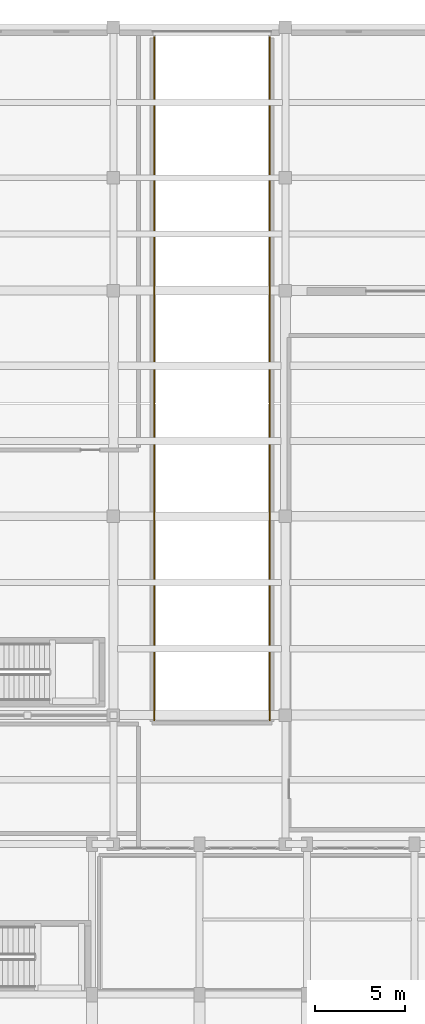
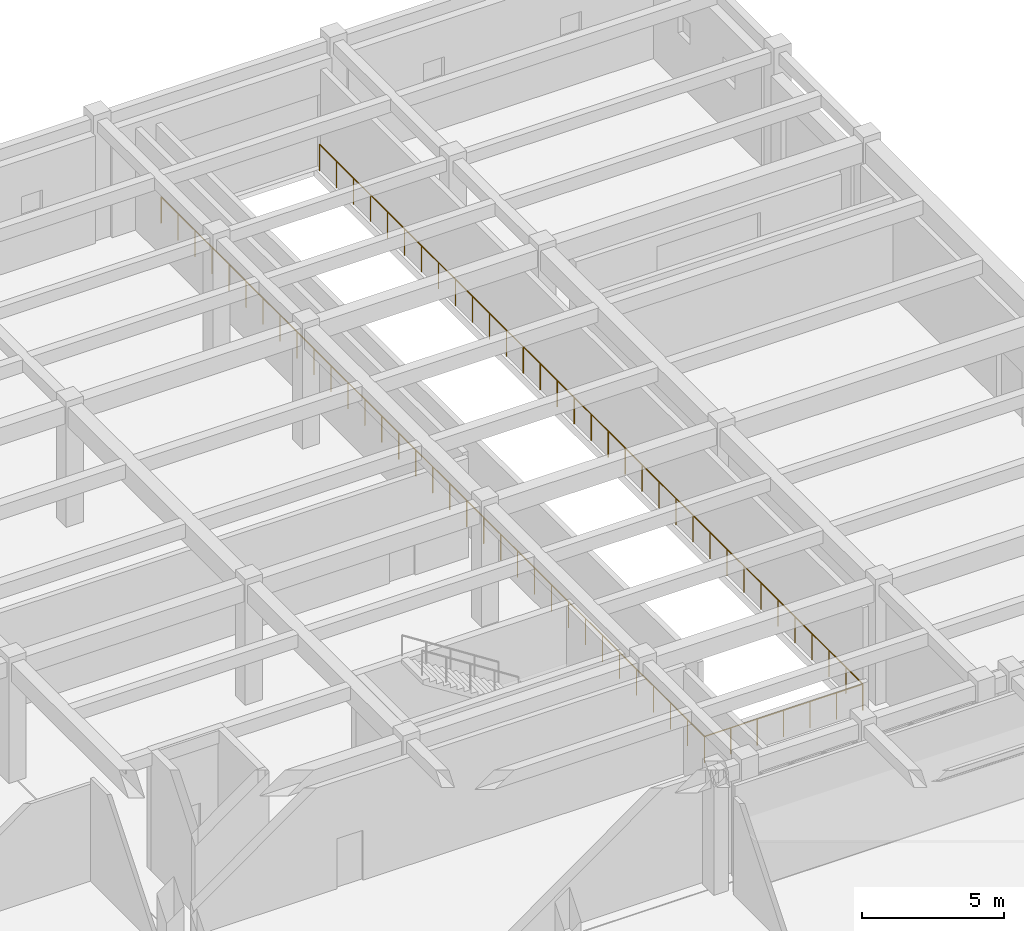
# One storey, part 97 of 98: 1 railing.
"""IFC4 building model written with IfcOpenShell, lengths in metres."""

from ifc_helpers import new_model, si_unit, direction, frame, origin, origin_2d, place, context, subcontext, project, spatial, circle, extrude, material, type_object, element, save


model = new_model("IFC4")

# Units and contexts
model_context = context("Model", 3, precision=1e-05, world=origin(), true_north=direction((0.0, 1.0)))
body_context = subcontext(model_context, "Body", "Model", "MODEL_VIEW")
ifc_project = project(units=[si_unit("LENGTHUNIT", "METRE"), si_unit("AREAUNIT", "SQUARE_METRE"), si_unit("VOLUMEUNIT", "CUBIC_METRE"), si_unit("PLANEANGLEUNIT", "RADIAN"), si_unit("MASSUNIT", "GRAM", prefix="KILO")], contexts=[model_context])

# Site, building, storey
site_placement = place(None, origin())
site = spatial("IfcSite", under=ifc_project, at=site_placement, CompositionType="ELEMENT")
building_placement = place(site_placement, origin())
building = spatial("IfcBuilding", under=site, at=building_placement, Name="Tarnavel Promenade Courthouse", CompositionType="ELEMENT")
storey_placement = place(building_placement, origin())
storey = spatial("IfcBuildingStorey", under=building, at=storey_placement, Name="L01", CompositionType="ELEMENT", Elevation=0.0)

# Railing
ifc_material = material(Name="Painted Architectural Steel Stair & Atrium Guardrail", Category="steel")
railing_type = type_object("IfcRailingType", Name="Painted Architectural Steel Stair & Atrium Guardrail (RL-GRD-1120)", PredefinedType="GUARDRAIL", material=ifc_material)
railing_placement = place(storey_placement, frame((141.47998046875, 112.25, 0.0)))
element("IfcRailing", 1, at=railing_placement, inside=storey, type_object=railing_type, Name="L01 Vehicle Ramp Opening Guardrail", PredefinedType="GUARDRAIL", context=body_context, shape_type="SweptSolid", body=[
    extrude(circle(Radius=0.02392578125, at=origin_2d()), frame((0.0, 0.0, 1.1259765625), z_axis=(0.0, -1.0, 0.0), x_axis=(1.0, 0.0, 0.0)), (0.0, 0.0, 1.0), 38.22998046875),
    extrude(circle(Radius=0.02392578125, at=origin_2d()), frame((0.0, -38.22998046875, 1.1259765625), z_axis=(1.0, 0.0, 0.0), x_axis=(0.0, 1.0, 0.0)), (0.0, 0.0, 1.0), 6.43994140625),
    extrude(circle(Radius=0.02392578125, at=origin_2d()), frame((6.43994140625, -38.22998046875, 1.1259765625), z_axis=(0.0, 1.0, 0.0), x_axis=(-1.0, 0.0, 0.0)), (0.0, 0.0, 1.0), 38.22998046875),
    extrude(circle(Radius=0.02099609375, at=origin_2d()), origin(), (0.0, 0.0, 1.0), 1.101806640625),
    extrude(circle(Radius=0.02099609375, at=origin_2d()), frame((0.0, -1.194580078125, 0.0)), (0.0, 0.0, 1.0), 1.101806640625),
    extrude(circle(Radius=0.02099609375, at=origin_2d()), frame((0.0, -2.389404296875, 0.0)), (0.0, 0.0, 1.0), 1.101806640625),
    extrude(circle(Radius=0.02099609375, at=origin_2d()), frame((0.0, -3.583984375, 0.0)), (0.0, 0.0, 1.0), 1.101806640625),
    extrude(circle(Radius=0.02099609375, at=origin_2d()), frame((0.0, -4.77880859375, 0.0)), (0.0, 0.0, 1.0), 1.101806640625),
    extrude(circle(Radius=0.02099609375, at=origin_2d()), frame((0.0, -5.973388671875, 0.0)), (0.0, 0.0, 1.0), 1.101806640625),
    extrude(circle(Radius=0.02099609375, at=origin_2d()), frame((0.0, -7.168212890625, 0.0)), (0.0, 0.0, 1.0), 1.101806640625),
    extrude(circle(Radius=0.02099609375, at=origin_2d()), frame((0.0, -8.36279296875, 0.0)), (0.0, 0.0, 1.0), 1.101806640625),
    extrude(circle(Radius=0.02099609375, at=origin_2d()), frame((0.0, -9.5576171875, 0.0)), (0.0, 0.0, 1.0), 1.101806640625),
    extrude(circle(Radius=0.02099609375, at=origin_2d()), frame((0.0, -10.752197265625, 0.0)), (0.0, 0.0, 1.0), 1.101806640625),
    extrude(circle(Radius=0.02099609375, at=origin_2d()), frame((0.0, -11.94677734375, 0.0)), (0.0, 0.0, 1.0), 1.101806640625),
    extrude(circle(Radius=0.02099609375, at=origin_2d()), frame((0.0, -13.1416015625, 0.0)), (0.0, 0.0, 1.0), 1.101806640625),
    extrude(circle(Radius=0.02099609375, at=origin_2d()), frame((0.0, -14.336181640625, 0.0)), (0.0, 0.0, 1.0), 1.101806640625),
    extrude(circle(Radius=0.02099609375, at=origin_2d()), frame((0.0, -15.531005859375, 0.0)), (0.0, 0.0, 1.0), 1.101806640625),
    extrude(circle(Radius=0.02099609375, at=origin_2d()), frame((0.0, -16.7255859375, 0.0)), (0.0, 0.0, 1.0), 1.101806640625),
    extrude(circle(Radius=0.02099609375, at=origin_2d()), frame((0.0, -17.92041015625, 0.0)), (0.0, 0.0, 1.0), 1.101806640625),
    extrude(circle(Radius=0.02099609375, at=origin_2d()), frame((0.0, -19.114990234375, 0.0)), (0.0, 0.0, 1.0), 1.101806640625),
    extrude(circle(Radius=0.02099609375, at=origin_2d()), frame((0.0, -20.3095703125, 0.0)), (0.0, 0.0, 1.0), 1.101806640625),
    extrude(circle(Radius=0.02099609375, at=origin_2d()), frame((0.0, -21.50439453125, 0.0)), (0.0, 0.0, 1.0), 1.101806640625),
    extrude(circle(Radius=0.02099609375, at=origin_2d()), frame((0.0, -22.698974609375, 0.0)), (0.0, 0.0, 1.0), 1.101806640625),
    extrude(circle(Radius=0.02099609375, at=origin_2d()), frame((0.0, -23.893798828125, 0.0)), (0.0, 0.0, 1.0), 1.101806640625),
    extrude(circle(Radius=0.02099609375, at=origin_2d()), frame((0.0, -25.08837890625, 0.0)), (0.0, 0.0, 1.0), 1.101806640625),
    extrude(circle(Radius=0.02099609375, at=origin_2d()), frame((0.0, -26.283203125, 0.0)), (0.0, 0.0, 1.0), 1.101806640625),
    extrude(circle(Radius=0.02099609375, at=origin_2d()), frame((0.0, -27.477783203125, 0.0)), (0.0, 0.0, 1.0), 1.101806640625),
    extrude(circle(Radius=0.02099609375, at=origin_2d()), frame((0.0, -28.67236328125, 0.0)), (0.0, 0.0, 1.0), 1.101806640625),
    extrude(circle(Radius=0.02099609375, at=origin_2d()), frame((0.0, -29.8671875, 0.0)), (0.0, 0.0, 1.0), 1.101806640625),
    extrude(circle(Radius=0.02099609375, at=origin_2d()), frame((0.0, -31.061767578125, 0.0)), (0.0, 0.0, 1.0), 1.101806640625),
    extrude(circle(Radius=0.02099609375, at=origin_2d()), frame((0.0, -32.256591796875, 0.0)), (0.0, 0.0, 1.0), 1.101806640625),
    extrude(circle(Radius=0.02099609375, at=origin_2d()), frame((0.0, -33.451171875, 0.0)), (0.0, 0.0, 1.0), 1.101806640625),
    extrude(circle(Radius=0.02099609375, at=origin_2d()), frame((0.0, -34.64599609375, 0.0)), (0.0, 0.0, 1.0), 1.101806640625),
    extrude(circle(Radius=0.02099609375, at=origin_2d()), frame((0.0, -35.840576171875, 0.0)), (0.0, 0.0, 1.0), 1.101806640625),
    extrude(circle(Radius=0.02099609375, at=origin_2d()), frame((0.0, -37.035400390625, 0.0)), (0.0, 0.0, 1.0), 1.101806640625),
    extrude(circle(Radius=0.02099609375, at=origin_2d()), frame((0.0, -38.22998046875, 0.0)), (0.0, 0.0, 1.0), 1.101806640625),
    extrude(circle(Radius=0.02099609375, at=origin_2d()), frame((1.0732421875, -38.22998046875, 0.0)), (0.0, 0.0, 1.0), 1.101806640625),
    extrude(circle(Radius=0.02099609375, at=origin_2d()), frame((2.146728515625, -38.22998046875, 0.0)), (0.0, 0.0, 1.0), 1.101806640625),
    extrude(circle(Radius=0.02099609375, at=origin_2d()), frame((3.219970703125, -38.22998046875, 0.0)), (0.0, 0.0, 1.0), 1.101806640625),
    extrude(circle(Radius=0.02099609375, at=origin_2d()), frame((4.293212890625, -38.22998046875, 0.0)), (0.0, 0.0, 1.0), 1.101806640625),
    extrude(circle(Radius=0.02099609375, at=origin_2d()), frame((5.36669921875, -38.22998046875, 0.0)), (0.0, 0.0, 1.0), 1.101806640625),
    extrude(circle(Radius=0.02099609375, at=origin_2d()), frame((6.43994140625, -38.22998046875, 0.0)), (0.0, 0.0, 1.0), 1.101806640625),
    extrude(circle(Radius=0.02099609375, at=origin_2d()), frame((6.43994140625, -37.035400390625, 0.0)), (0.0, 0.0, 1.0), 1.101806640625),
    extrude(circle(Radius=0.02099609375, at=origin_2d()), frame((6.43994140625, -35.840576171875, 0.0)), (0.0, 0.0, 1.0), 1.101806640625),
    extrude(circle(Radius=0.02099609375, at=origin_2d()), frame((6.43994140625, -34.64599609375, 0.0)), (0.0, 0.0, 1.0), 1.101806640625),
    extrude(circle(Radius=0.02099609375, at=origin_2d()), frame((6.43994140625, -33.451171875, 0.0)), (0.0, 0.0, 1.0), 1.101806640625),
    extrude(circle(Radius=0.02099609375, at=origin_2d()), frame((6.43994140625, -32.256591796875, 0.0)), (0.0, 0.0, 1.0), 1.101806640625),
    extrude(circle(Radius=0.02099609375, at=origin_2d()), frame((6.43994140625, -31.061767578125, 0.0)), (0.0, 0.0, 1.0), 1.101806640625),
    extrude(circle(Radius=0.02099609375, at=origin_2d()), frame((6.43994140625, -29.8671875, 0.0)), (0.0, 0.0, 1.0), 1.101806640625),
    extrude(circle(Radius=0.02099609375, at=origin_2d()), frame((6.43994140625, -28.67236328125, 0.0)), (0.0, 0.0, 1.0), 1.101806640625),
    extrude(circle(Radius=0.02099609375, at=origin_2d()), frame((6.43994140625, -27.477783203125, 0.0)), (0.0, 0.0, 1.0), 1.101806640625),
    extrude(circle(Radius=0.02099609375, at=origin_2d()), frame((6.43994140625, -26.283203125, 0.0)), (0.0, 0.0, 1.0), 1.101806640625),
    extrude(circle(Radius=0.02099609375, at=origin_2d()), frame((6.43994140625, -25.08837890625, 0.0)), (0.0, 0.0, 1.0), 1.101806640625),
    extrude(circle(Radius=0.02099609375, at=origin_2d()), frame((6.43994140625, -23.893798828125, 0.0)), (0.0, 0.0, 1.0), 1.101806640625),
    extrude(circle(Radius=0.02099609375, at=origin_2d()), frame((6.43994140625, -22.698974609375, 0.0)), (0.0, 0.0, 1.0), 1.101806640625),
    extrude(circle(Radius=0.02099609375, at=origin_2d()), frame((6.43994140625, -21.50439453125, 0.0)), (0.0, 0.0, 1.0), 1.101806640625),
    extrude(circle(Radius=0.02099609375, at=origin_2d()), frame((6.43994140625, -20.3095703125, 0.0)), (0.0, 0.0, 1.0), 1.101806640625),
    extrude(circle(Radius=0.02099609375, at=origin_2d()), frame((6.43994140625, -19.114990234375, 0.0)), (0.0, 0.0, 1.0), 1.101806640625),
    extrude(circle(Radius=0.02099609375, at=origin_2d()), frame((6.43994140625, -17.92041015625, 0.0)), (0.0, 0.0, 1.0), 1.101806640625),
    extrude(circle(Radius=0.02099609375, at=origin_2d()), frame((6.43994140625, -16.7255859375, 0.0)), (0.0, 0.0, 1.0), 1.101806640625),
    extrude(circle(Radius=0.02099609375, at=origin_2d()), frame((6.43994140625, -15.531005859375, 0.0)), (0.0, 0.0, 1.0), 1.101806640625),
    extrude(circle(Radius=0.02099609375, at=origin_2d()), frame((6.43994140625, -14.336181640625, 0.0)), (0.0, 0.0, 1.0), 1.101806640625),
    extrude(circle(Radius=0.02099609375, at=origin_2d()), frame((6.43994140625, -13.1416015625, 0.0)), (0.0, 0.0, 1.0), 1.101806640625),
    extrude(circle(Radius=0.02099609375, at=origin_2d()), frame((6.43994140625, -11.94677734375, 0.0)), (0.0, 0.0, 1.0), 1.101806640625),
    extrude(circle(Radius=0.02099609375, at=origin_2d()), frame((6.43994140625, -10.752197265625, 0.0)), (0.0, 0.0, 1.0), 1.101806640625),
    extrude(circle(Radius=0.02099609375, at=origin_2d()), frame((6.43994140625, -9.5576171875, 0.0)), (0.0, 0.0, 1.0), 1.101806640625),
    extrude(circle(Radius=0.02099609375, at=origin_2d()), frame((6.43994140625, -8.36279296875, 0.0)), (0.0, 0.0, 1.0), 1.101806640625),
    extrude(circle(Radius=0.02099609375, at=origin_2d()), frame((6.43994140625, -7.168212890625, 0.0)), (0.0, 0.0, 1.0), 1.101806640625),
    extrude(circle(Radius=0.02099609375, at=origin_2d()), frame((6.43994140625, -5.973388671875, 0.0)), (0.0, 0.0, 1.0), 1.101806640625),
    extrude(circle(Radius=0.02099609375, at=origin_2d()), frame((6.43994140625, -4.77880859375, 0.0)), (0.0, 0.0, 1.0), 1.101806640625),
    extrude(circle(Radius=0.02099609375, at=origin_2d()), frame((6.43994140625, -3.583984375, 0.0)), (0.0, 0.0, 1.0), 1.101806640625),
    extrude(circle(Radius=0.02099609375, at=origin_2d()), frame((6.43994140625, -2.389404296875, 0.0)), (0.0, 0.0, 1.0), 1.101806640625),
    extrude(circle(Radius=0.02099609375, at=origin_2d()), frame((6.43994140625, -1.194580078125, 0.0)), (0.0, 0.0, 1.0), 1.101806640625),
    extrude(circle(Radius=0.02099609375, at=origin_2d()), frame((6.43994140625, 0.0, 0.0)), (0.0, 0.0, 1.0), 1.101806640625),
])

save(model, "model.ifc")
